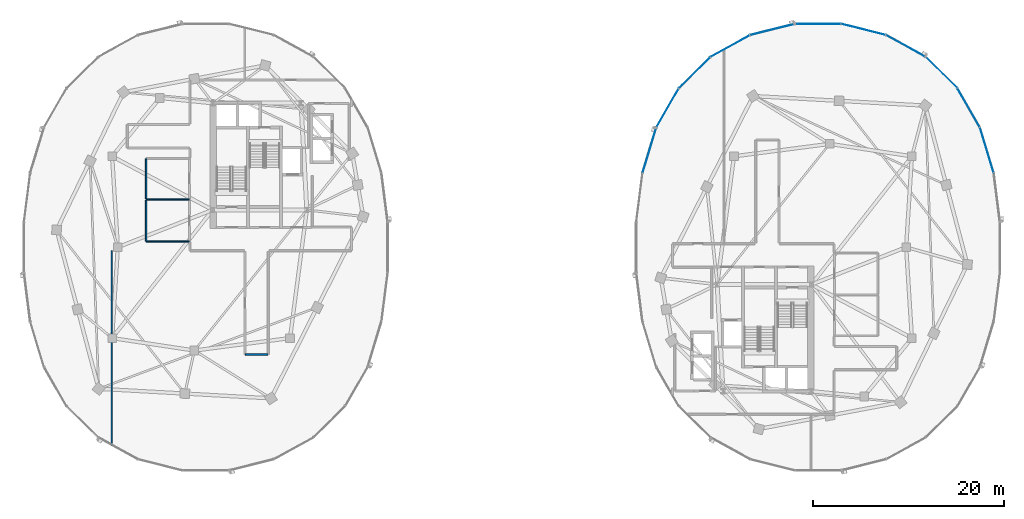
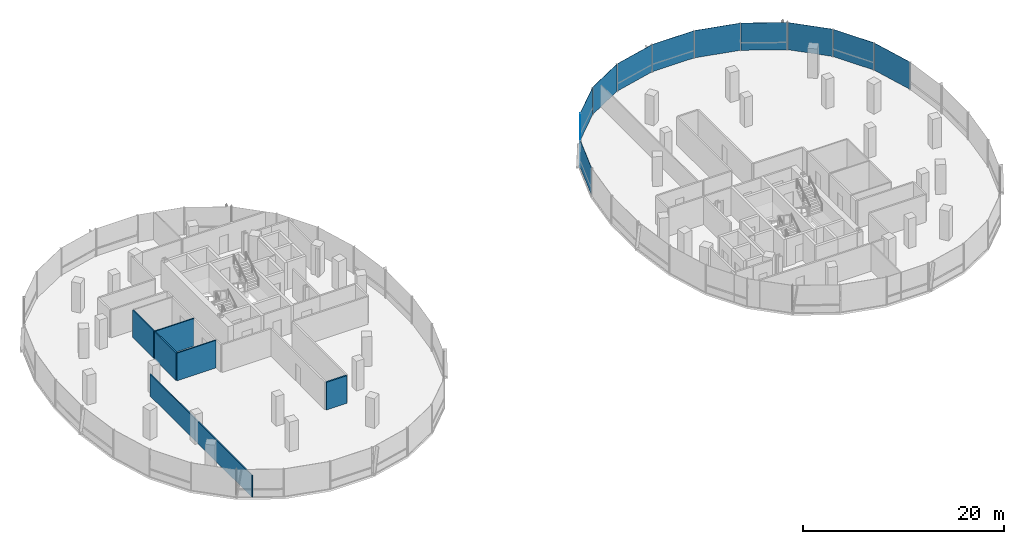
# One storey, part 11 of 21: 11 plates, 6 walls, 2 elements without a shape of their own.
"""IFC4 building model written with IfcOpenShell, lengths in metres."""

from ifc_helpers import new_model, si_unit, direction, frame, frame_2d, origin, origin_2d, place, context, subcontext, project, spatial, rectangle, extrude, material, layer, layer_set, type_object, element, aggregate, save


model = new_model("IFC4")

# Units and contexts
model_context = context("Model", 3, precision=1e-05, world=origin(), true_north=direction((0.0, 1.0)))
body_context = subcontext(model_context, "Body", "Model", "MODEL_VIEW")
ifc_project = project(units=[si_unit("LENGTHUNIT", "METRE"), si_unit("AREAUNIT", "SQUARE_METRE"), si_unit("VOLUMEUNIT", "CUBIC_METRE"), si_unit("PLANEANGLEUNIT", "RADIAN"), si_unit("MASSUNIT", "GRAM", prefix="KILO"), si_unit("THERMODYNAMICTEMPERATUREUNIT", "KELVIN"), si_unit("POWERUNIT", "WATT")], contexts=[model_context])

# Site, building, storey
site_placement = place(None, origin())
site = spatial("IfcSite", under=ifc_project, at=site_placement, CompositionType="ELEMENT")
building_placement = place(site_placement, origin())
building = spatial("IfcBuilding", under=site, at=building_placement, Name="Cundina Bronze Exchange", CompositionType="ELEMENT")
storey_placement = place(building_placement, frame((0.0, 0.0, 180.0)))
storey = spatial("IfcBuildingStorey", under=building, at=storey_placement, Name="L47", CompositionType="ELEMENT", Elevation=180.0)

# Curtain wall, plates
ifc_material_1 = material(Name="Anodised Bronze Aluminium 6063-T6", Category="aluminium")
curtain_wall_type = type_object("IfcCurtainWallType", Name="CWS-WST-PIN", PredefinedType="NOTDEFINED", material=ifc_material_1)
curtain_wall_1_placement = place(storey_placement, origin())
curtain_wall_1 = element("IfcCurtainWall", 1, at=curtain_wall_1_placement, inside=storey, type_object=curtain_wall_type, Name="L47 CW-04 Curtain Wall Run CWR-L47-E1", PredefinedType="NOTDEFINED")
ifc_material_2 = material(Name="Heat-Strengthened Solar-Control Bronze Safety Glass 28mm", Category="glass")
ifc_layer_1 = layer(ifc_material_2, 0.028076171875, Name="Heat-Strengthened Solar-Control Bronze Safety Glass 28mm", Category="glass")
ifc_layer_set_1 = layer_set([ifc_layer_1], Name="Heat-Strengthened Solar-Control Bronze Safety Glass 28mm")
plate_type_1 = type_object("IfcPlateType", Name="PLT-GLZ-VIS28", PredefinedType="CURTAIN_PANEL", material=ifc_layer_set_1)
plate_1_placement = place(storey_placement, frame((49.63330078125, 10.14208984375, 0.02001953125), z_axis=(0.0, 0.0, 1.0), x_axis=(-0.290050843957, 0.957011237092, 0.0)))
plate_1 = element("IfcPlate", 2, at=plate_1_placement, type_object=plate_type_1, Name="CW-04 Glazed Panel 2", PredefinedType="CURTAIN_PANEL", context=body_context, shape_type="SweptSolid", body=[
    extrude(rectangle(XDim=4.885009765625, YDim=0.028076171875, at=origin_2d()), origin(), (0.0, 0.0, 1.0), 3.320068359375),
])
plate_2_placement = place(storey_placement, frame((44.894775390625, 18.253662109375, 0.02001953125), z_axis=(0.0, 0.0, 1.0), x_axis=(-0.711989280367, 0.702190333629, 0.0)))
plate_2 = element("IfcPlate", 3, at=plate_2_placement, type_object=plate_type_1, Name="CW-04 Glazed Panel 4", PredefinedType="CURTAIN_PANEL", context=body_context, shape_type="SweptSolid", body=[
    extrude(rectangle(XDim=4.6025390625, YDim=0.028076171875, at=origin_2d()), origin(), (0.0, 0.0, 1.0), 3.320068359375),
])
plate_3_placement = place(storey_placement, frame((41.16845703125, 21.02880859375, 0.02001953125), z_axis=(0.0, 0.0, 1.0), x_axis=(-0.875869093438, 0.482548786301, 0.0)))
plate_3 = element("IfcPlate", 4, at=plate_3_placement, type_object=plate_type_1, Name="CW-04 Glazed Panel 5", PredefinedType="CURTAIN_PANEL", context=body_context, shape_type="SweptSolid", body=[
    extrude(rectangle(XDim=4.661865234375, YDim=0.028076171875, at=origin_2d()), origin(), (0.0, 0.0, 1.0), 3.320068359375),
])
plate_4_placement = place(storey_placement, frame((36.76513671875, 22.75244140625, 0.02001953125), z_axis=(0.0, 0.0, 1.0), x_axis=(-0.970092713791, 0.242734683656, 0.0)))
plate_4 = element("IfcPlate", 5, at=plate_4_placement, type_object=plate_type_1, Name="CW-04 Glazed Panel 6", PredefinedType="CURTAIN_PANEL", context=body_context, shape_type="SweptSolid", body=[
    extrude(rectangle(XDim=4.7548828125, YDim=0.028076171875, at=origin_2d()), origin(), (0.0, 0.0, 1.0), 3.320068359375),
])
plate_5_placement = place(storey_placement, frame((32.0, 23.3369140625, 0.02001953125), z_axis=(0.0, 0.0, 1.0), x_axis=(-1.0, 0.0, 0.0)))
plate_5 = element("IfcPlate", 6, at=plate_5_placement, type_object=plate_type_1, Name="CW-04 Glazed Panel 7", PredefinedType="CURTAIN_PANEL", context=body_context, shape_type="SweptSolid", body=[
    extrude(rectangle(XDim=4.7958984375, YDim=0.028076171875, at=origin_2d()), origin(), (0.0, 0.0, 1.0), 3.320068359375),
])

curtain_wall_2_placement = place(storey_placement, origin())
curtain_wall_2 = element("IfcCurtainWall", 7, at=curtain_wall_2_placement, inside=storey, type_object=curtain_wall_type, Name="L47 CW-04 Curtain Wall Run CWR-L47-E2", PredefinedType="NOTDEFINED")
plate_6_placement = place(storey_placement, frame((27.23486328125, 22.75244140625, 0.02001953125), z_axis=(0.0, 0.0, 1.0), x_axis=(-0.970092713791, -0.242734683656, 0.0)))
plate_6 = element("IfcPlate", 8, at=plate_6_placement, type_object=plate_type_1, Name="CW-04 Glazed Panel 1", PredefinedType="CURTAIN_PANEL", context=body_context, shape_type="SweptSolid", body=[
    extrude(rectangle(XDim=4.7548828125, YDim=0.028076171875, at=origin_2d()), origin(), (0.0, 0.0, 1.0), 3.320068359375),
])
plate_7_placement = place(storey_placement, frame((19.105224609375, 18.253662109375, 0.02001953125), z_axis=(0.0, 0.0, 1.0), x_axis=(-0.711989280367, -0.702190333629, 0.0)))
plate_7 = element("IfcPlate", 9, at=plate_7_placement, type_object=plate_type_1, Name="CW-04 Glazed Panel 3", PredefinedType="CURTAIN_PANEL", context=body_context, shape_type="SweptSolid", body=[
    extrude(rectangle(XDim=4.6025390625, YDim=0.028076171875, at=origin_2d()), origin(), (0.0, 0.0, 1.0), 3.320068359375),
])
plate_8_placement = place(storey_placement, frame((16.265625, 14.564697265625, 0.02001953125), z_axis=(0.0, 0.0, 1.0), x_axis=(-0.498487739754, -0.866896748936, 0.0)))
plate_8 = element("IfcPlate", 10, at=plate_8_placement, type_object=plate_type_1, Name="CW-04 Glazed Panel 4", PredefinedType="CURTAIN_PANEL", context=body_context, shape_type="SweptSolid", body=[
    extrude(rectangle(XDim=4.676513671875, YDim=0.028076171875, at=origin_2d()), origin(), (0.0, 0.0, 1.0), 3.320068359375),
])
plate_9_placement = place(storey_placement, frame((14.36669921875, 10.14208984375, 0.02001953125), z_axis=(0.0, 0.0, 1.0), x_axis=(-0.290050843957, -0.957011237092, 0.0)))
plate_9 = element("IfcPlate", 11, at=plate_9_placement, type_object=plate_type_1, Name="CW-04 Glazed Panel 5", PredefinedType="CURTAIN_PANEL", context=body_context, shape_type="SweptSolid", body=[
    extrude(rectangle(XDim=4.885009765625, YDim=0.028076171875, at=origin_2d()), origin(), (0.0, 0.0, 1.0), 3.320068359375),
])

# Plate
ifc_material_3 = material(Name="Dark Bronze Spandrel Glass Panel 32mm", Category="glass")
ifc_layer_2 = layer(ifc_material_3, 0.031982421875, Name="Dark Bronze Spandrel Glass Panel 32mm", Category="glass")
ifc_layer_set_2 = layer_set([ifc_layer_2], Name="Dark Bronze Spandrel Glass Panel 32mm")
plate_type_2 = type_object("IfcPlateType", Name="PLT-SPN-BRZ32", PredefinedType="CURTAIN_PANEL", material=ifc_layer_set_2)
plate_10_placement = place(storey_placement, frame((47.734375, 14.564697265625, 0.02001953125), z_axis=(0.0, 0.0, 1.0), x_axis=(-0.498487739754, 0.866896748936, 0.0)))
plate_10 = element("IfcPlate", 12, at=plate_10_placement, type_object=plate_type_2, Name="CW-04 Glazed Panel 3", PredefinedType="CURTAIN_PANEL", context=body_context, shape_type="SweptSolid", body=[
    extrude(rectangle(XDim=4.676513671875, YDim=0.031982421875, at=origin_2d()), origin(), (0.0, 0.0, 1.0), 3.320068359375),
])

aggregate(curtain_wall_1, [plate_1, plate_10, plate_2, plate_3, plate_4, plate_5])

plate_11_placement = place(storey_placement, frame((22.83154296875, 21.02880859375, 0.02001953125), z_axis=(0.0, 0.0, 1.0), x_axis=(-0.875869093438, -0.482548786301, 0.0)))
plate_11 = element("IfcPlate", 13, at=plate_11_placement, type_object=plate_type_2, Name="CW-04 Glazed Panel 2", PredefinedType="CURTAIN_PANEL", context=body_context, shape_type="SweptSolid", body=[
    extrude(rectangle(XDim=4.661865234375, YDim=0.031982421875, at=origin_2d()), origin(), (0.0, 0.0, 1.0), 3.320068359375),
])

aggregate(curtain_wall_2, [plate_6, plate_11, plate_7, plate_8, plate_9])

# Walls
ifc_material_4 = material(Name="Gypsum Fireboard Partition EI120")
ifc_layer_3 = layer(ifc_material_4, 0.179931640625, Name="Gypsum Fireboard Partition EI120")
ifc_layer_set_3 = layer_set([ifc_layer_3], Name="Gypsum Fireboard Partition EI120")
wall_type_1 = type_object("IfcWallType", Name="WL-COR-180", PredefinedType="PARTITIONING", material=ifc_layer_set_3)
wall_1_placement = place(storey_placement, frame((-27.87841796875, -11.219970703125, 0.0), z_axis=(0.0, 0.0, 1.0), x_axis=(1.0, 0.0, 0.0)))
element("IfcWall", 14, at=wall_1_placement, inside=storey, type_object=wall_type_1, Name="L47 Interior Partition 026", PredefinedType="PARTITIONING", context=body_context, shape_type="SweptSolid", body=[
    extrude(rectangle(XDim=2.35693359375, YDim=0.179931640625, at=frame_2d((1.178466796875, 0.0))), origin(), (0.0, 0.0, 1.0), 3.360107421875),
])
ifc_material_5 = material(Name="Gypsum Acoustic Partition EI60")
ifc_layer_4 = layer(ifc_material_5, 0.125, Name="Gypsum Acoustic Partition EI60")
ifc_layer_set_4 = layer_set([ifc_layer_4], Name="Gypsum Acoustic Partition EI60")
wall_type_2 = type_object("IfcWallType", Name="WL-OFF-125", PredefinedType="PARTITIONING", material=ifc_layer_set_4)
wall_2_placement = place(storey_placement, frame((-41.830078125, -20.741455078125, 0.0), z_axis=(0.0, 0.0, 1.0), x_axis=(0.0, 1.0, 0.0)))
element("IfcWall", 15, at=wall_2_placement, inside=storey, type_object=wall_type_2, Name="L47 Interior Partition 014", PredefinedType="PARTITIONING", context=body_context, shape_type="SweptSolid", body=[
    extrude(rectangle(XDim=20.371337890625, YDim=0.125, at=frame_2d((10.185546875, 0.0))), origin(), (0.0, 0.0, 1.0), 2.6650390625),
])
ifc_material_6 = material(Name="Moisture-Resistant Masonry Block Grade M15", Category="masonry")
ifc_layer_5 = layer(ifc_material_6, 0.139892578125, Name="Moisture-Resistant Masonry Block Grade M15", Category="masonry")
ifc_layer_set_5 = layer_set([ifc_layer_5], Name="Moisture-Resistant Masonry Block Grade M15")
wall_type_3 = type_object("IfcWallType", Name="WL-WET-140", PredefinedType="PARTITIONING", material=ifc_layer_set_5)
wall_3_placement = place(storey_placement, frame((-38.239990234375, 0.6201171875, 0.0), z_axis=(0.0, 0.0, 1.0), x_axis=(0.0, 1.0, 0.0)))
element("IfcWall", 16, at=wall_3_placement, inside=storey, type_object=wall_type_3, Name="L47 Interior Partition 007", PredefinedType="PARTITIONING", context=body_context, shape_type="SweptSolid", body=[
    extrude(rectangle(XDim=4.27490234375, YDim=0.139892578125, at=frame_2d((2.137451171875, 0.0))), origin(), (0.0, 0.0, 1.0), 3.360107421875),
])
wall_4_placement = place(storey_placement, frame((-38.239990234375, 5.06494140625, 0.0), z_axis=(0.0, 0.0, 1.0), x_axis=(0.0, 1.0, 0.0)))
element("IfcWall", 17, at=wall_4_placement, inside=storey, type_object=wall_type_3, Name="L47 Interior Partition 008", PredefinedType="PARTITIONING", context=body_context, shape_type="SweptSolid", body=[
    extrude(rectangle(XDim=4.175048828125, YDim=0.139892578125, at=frame_2d((2.08740234375, 0.0))), origin(), (0.0, 0.0, 1.0), 3.360107421875),
])
for number, where, z_axis, x_axis, name in (
    (18, (-38.219970703125, 0.60009765625, 0.0), (0.0, 0.0, 1.0), (1.0, 0.0, 0.0), "L47 Interior Partition 009"),
    (19, (-38.219970703125, 4.97998046875, 0.0), (0.0, 0.0, 1.0), (1.0, 0.0, 0.0), "L47 Interior Partition 010"),
):
    element("IfcWall", number, at=place(storey_placement, frame(where, z_axis=z_axis, x_axis=x_axis)), inside=storey, type_object=wall_type_3, Name=name, PredefinedType="PARTITIONING", context=body_context, shape_type="SweptSolid", body=[
        extrude(rectangle(XDim=4.47998046875, YDim=0.139892578125, at=frame_2d((2.239990234375, 0.0))), origin(), (0.0, 0.0, 1.0), 3.360107421875),
    ])

save(model, "model.ifc")
